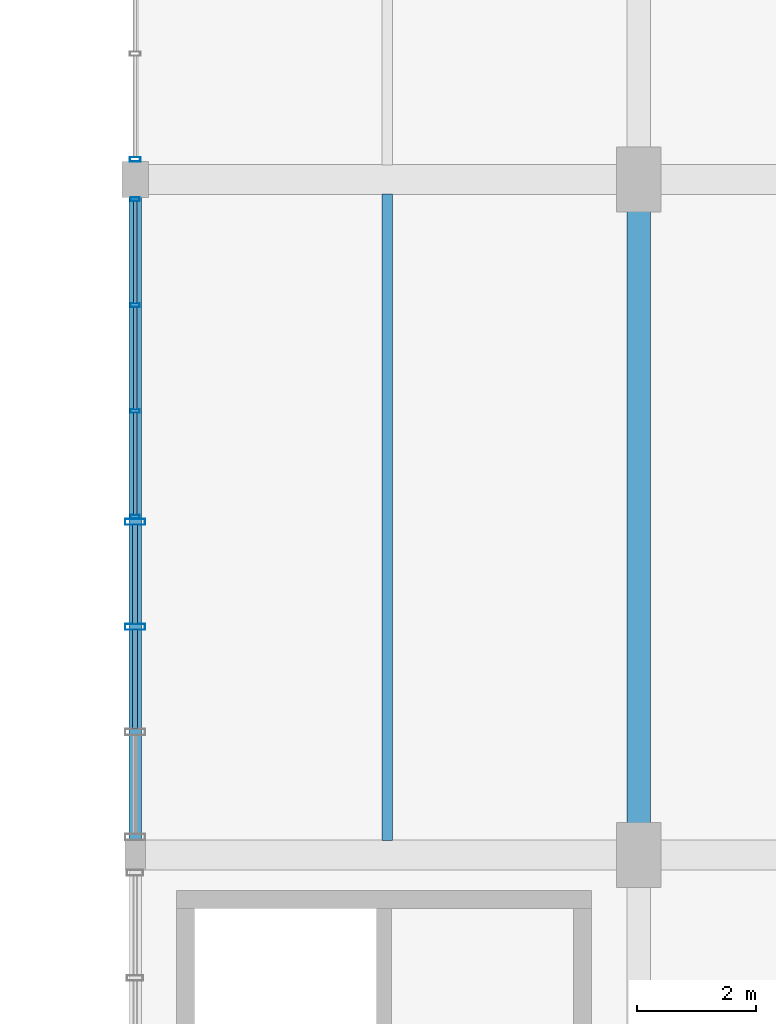
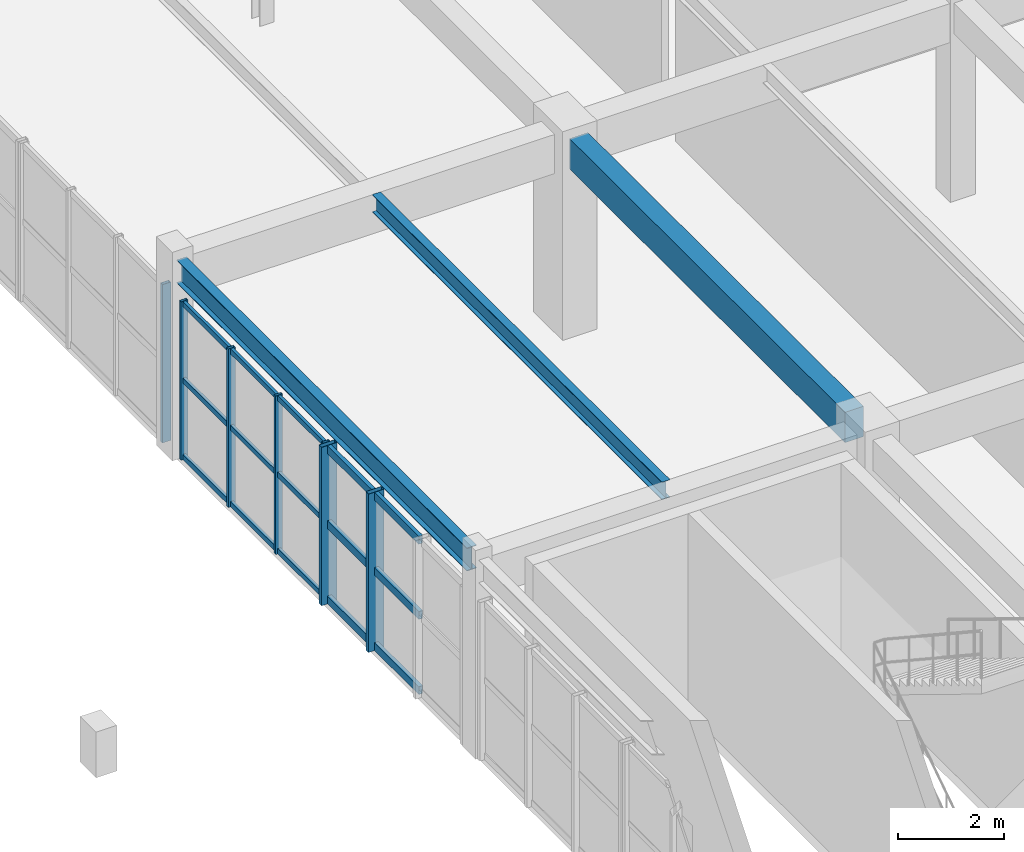
# One storey, part 42 of 106: 22 members, 3 beams, 3 elements without a shape of their own.
"""IFC4 building model written with IfcOpenShell, lengths in metres."""

from ifc_helpers import new_model, si_unit, direction, frame, origin, origin_2d, place, context, subcontext, project, spatial, rectangle, hollow_rectangle, i_section, extrude, material, layer, layer_set, material_profile, profile_set, type_object, element, aggregate, save


model = new_model("IFC4")

# Units and contexts
model_context = context("Model", 3, precision=1e-05, world=origin(), true_north=direction((0.0, 1.0)))
body_context = subcontext(model_context, "Body", "Model", "MODEL_VIEW")
ifc_project = project(units=[si_unit("LENGTHUNIT", "METRE"), si_unit("AREAUNIT", "SQUARE_METRE"), si_unit("VOLUMEUNIT", "CUBIC_METRE"), si_unit("PLANEANGLEUNIT", "RADIAN"), si_unit("MASSUNIT", "GRAM", prefix="KILO"), si_unit("POWERUNIT", "WATT"), si_unit("THERMODYNAMICTEMPERATUREUNIT", "KELVIN")], contexts=[model_context])

# Site, building, storey
site_placement = place(None, origin())
site = spatial("IfcSite", under=ifc_project, at=site_placement, CompositionType="ELEMENT")
building_placement = place(site_placement, origin())
building = spatial("IfcBuilding", under=site, at=building_placement, Name="Kelmbourne Parkland Aquatics Centre", CompositionType="ELEMENT")
storey_placement = place(building_placement, frame((0.0, 0.0, 5.39990234375)))
storey = spatial("IfcBuildingStorey", under=building, at=storey_placement, Name="L01", CompositionType="ELEMENT", Elevation=5.39990234375)

# Beams
ifc_material_1 = material(Name="Concrete C40/50", Category="concrete")
ifc_material_profile_1 = material_profile(ifc_material_1, rectangle(XDim=0.39990234375, YDim=0.699951171875, at=origin_2d()), Name="RC 400x700")
ifc_profile_set_1 = profile_set([ifc_material_profile_1], Name="Concrete C40/50")
beam_type_1 = type_object("IfcBeamType", Name="BM-G05", PredefinedType="BEAM", material=ifc_profile_set_1)
beam_1_placement = place(storey_placement, frame((110.5, 46.905029296875, 4.210205078125), z_axis=(0.0, 1.0, 0.0), x_axis=(-1.0, 0.0, 0.0)))
element("IfcBeam", 1, at=beam_1_placement, inside=storey, type_object=beam_type_1, Name="Primary girder 06-08 Grid N (L02)", PredefinedType="BEAM", context=body_context, shape_type="SweptSolid", body=[
    extrude(rectangle(XDim=0.39990234375, YDim=0.699951171875, at=origin_2d()), origin(), (0.0, 0.0, 1.0), 10.389892578125),
])
ifc_material_2 = material(Name="Structural steel AS/NZS 3679.1 Grade 300", Category="steel")
ifc_material_profile_2 = material_profile(ifc_material_2, i_section(OverallWidth=0.177978515625, OverallDepth=0.406005859375, WebThickness=0.0078125, FlangeThickness=0.0126953125, at=origin_2d()), Name="410UB59.7")
ifc_profile_set_2 = profile_set([ifc_material_profile_2], Name="Structural steel AS/NZS 3679.1 Grade 300")
beam_type_2 = type_object("IfcBeamType", Name="BM-J01", PredefinedType="JOIST", material=ifc_profile_set_2)
beam_2_placement = place(storey_placement, frame((106.25, 46.64208984375, 4.357177734375), z_axis=(0.0, 1.0, 0.0), x_axis=(-1.0, 0.0, 0.0)))
element("IfcBeam", 2, at=beam_2_placement, inside=storey, type_object=beam_type_2, Name="Secondary floor joist M-N/06-08 #1 (L02)", PredefinedType="JOIST", context=body_context, shape_type="SweptSolid", body=[
    extrude(i_section(OverallWidth=0.177978515625, OverallDepth=0.406005859375, WebThickness=0.0078125, FlangeThickness=0.0126953125, at=origin_2d()), origin(), (0.0, 0.0, 1.0), 10.916015625),
])
ifc_material_profile_3 = material_profile(ifc_material_2, i_section(OverallWidth=0.208984375, OverallDepth=0.532958984375, WebThickness=0.01025390625, FlangeThickness=0.015625, at=origin_2d()), Name="530UB92.4")
ifc_profile_set_3 = profile_set([ifc_material_profile_3], Name="Structural steel AS/NZS 3679.1 Grade 300")
beam_type_3 = type_object("IfcBeamType", Name="BM-SP02", PredefinedType="SPANDREL", material=ifc_profile_set_3)
beam_3_placement = place(storey_placement, frame((102.0, 46.60498046875, 4.293701171875), z_axis=(0.0, 1.0, 0.0), x_axis=(-1.0, 0.0, 0.0)))
element("IfcBeam", 3, at=beam_3_placement, inside=storey, type_object=beam_type_3, Name="Perimeter spandrel 06-08 Grid M (L02)", PredefinedType="SPANDREL", context=body_context, shape_type="SweptSolid", body=[
    extrude(i_section(OverallWidth=0.208984375, OverallDepth=0.532958984375, WebThickness=0.01025390625, FlangeThickness=0.015625, at=origin_2d()), origin(), (0.0, 0.0, 1.0), 10.93994140625),
])

# Curtain wall, members
ifc_material_3 = material(Name="Thermally broken anodised aluminium framing", Category="aluminium")
ifc_layer_1 = layer(ifc_material_3, 0.179931640625)
ifc_layer_set_1 = layer_set([ifc_layer_1], Name="Thermally broken anodised aluminium framing")
curtain_wall_type_1 = type_object("IfcCurtainWallType", Name="CW-03", PredefinedType="NOTDEFINED", material=ifc_layer_set_1)
curtain_wall_1_placement = place(storey_placement, origin())
curtain_wall_1 = element("IfcCurtainWall", 4, at=curtain_wall_1_placement, inside=storey, type_object=curtain_wall_type_1, Name="Facade curtain wall CW-L01-195", PredefinedType="NOTDEFINED")
ifc_material_profile_4 = material_profile(ifc_material_3, hollow_rectangle(XDim=0.06494140625, YDim=0.14990234375, WallThickness=0.00390625, at=origin_2d()), Name="CW-M 65x150")
ifc_profile_set_4 = profile_set([ifc_material_profile_4], Name="Thermally broken anodised aluminium framing")
member_type_1 = type_object("IfcMemberType", Name="MB-MUL-1", PredefinedType="MULLION", material=ifc_profile_set_4)
member_1_placement = place(storey_placement, frame((102.0, 52.107421875, 0.0), z_axis=(0.0, 0.0, 1.0), x_axis=(0.0, 1.0, 0.0)))
member_1 = element("IfcMember", 5, at=member_1_placement, type_object=member_type_1, Name="CW-L01-195 mullion 0", PredefinedType="MULLION", context=body_context, shape_type="SweptSolid", body=[
    extrude(hollow_rectangle(XDim=0.06494140625, YDim=0.14990234375, WallThickness=0.00390625, at=origin_2d()), origin(), (0.0, 0.0, 1.0), 3.64501953125),
])
member_2_placement = place(storey_placement, frame((102.0, 53.8935546875, 0.0), z_axis=(0.0, 0.0, 1.0), x_axis=(0.0, 1.0, 0.0)))
member_2 = element("IfcMember", 6, at=member_2_placement, type_object=member_type_1, Name="CW-L01-195 mullion 1", PredefinedType="MULLION", context=body_context, shape_type="SweptSolid", body=[
    extrude(hollow_rectangle(XDim=0.06494140625, YDim=0.14990234375, WallThickness=0.00390625, at=origin_2d()), origin(), (0.0, 0.0, 1.0), 3.64501953125),
])
member_3_placement = place(storey_placement, frame((102.0, 55.679443359375, 0.0), z_axis=(0.0, 0.0, 1.0), x_axis=(0.0, 1.0, 0.0)))
member_3 = element("IfcMember", 7, at=member_3_placement, type_object=member_type_1, Name="CW-L01-195 mullion 2", PredefinedType="MULLION", context=body_context, shape_type="SweptSolid", body=[
    extrude(hollow_rectangle(XDim=0.06494140625, YDim=0.14990234375, WallThickness=0.00390625, at=origin_2d()), origin(), (0.0, 0.0, 1.0), 3.64501953125),
])
member_4_placement = place(storey_placement, frame((102.0, 57.465576171875, 0.0), z_axis=(0.0, 0.0, 1.0), x_axis=(0.0, 1.0, 0.0)))
member_4 = element("IfcMember", 8, at=member_4_placement, type_object=member_type_1, Name="CW-L01-195 mullion 3", PredefinedType="MULLION", context=body_context, shape_type="SweptSolid", body=[
    extrude(hollow_rectangle(XDim=0.06494140625, YDim=0.14990234375, WallThickness=0.00390625, at=origin_2d()), origin(), (0.0, 0.0, 1.0), 3.64501953125),
])

# Curtain wall, member
ifc_layer_2 = layer(ifc_material_3, 0.179931640625)
ifc_layer_set_2 = layer_set([ifc_layer_2], Name="Thermally broken anodised aluminium framing")
curtain_wall_type_2 = type_object("IfcCurtainWallType", Name="CW-04", PredefinedType="NOTDEFINED", material=ifc_layer_set_2)
curtain_wall_2_placement = place(storey_placement, origin())
curtain_wall_2 = element("IfcCurtainWall", 9, at=curtain_wall_2_placement, inside=storey, type_object=curtain_wall_type_2, Name="Facade curtain wall CW-L01-196", PredefinedType="NOTDEFINED")
ifc_material_profile_5 = material_profile(ifc_material_3, hollow_rectangle(XDim=0.074951171875, YDim=0.179931640625, WallThickness=0.00439453125, at=origin_2d()), Name="CW-M 75x180")
ifc_profile_set_5 = profile_set([ifc_material_profile_5], Name="Thermally broken anodised aluminium framing")
member_type_2 = type_object("IfcMemberType", Name="MB-MUL-2", PredefinedType="MULLION", material=ifc_profile_set_5)
member_5_placement = place(storey_placement, frame((102.0, 58.139404296875, 0.0), z_axis=(0.0, 0.0, 1.0), x_axis=(0.0, 1.0, 0.0)))
member_5 = element("IfcMember", 10, at=member_5_placement, type_object=member_type_2, Name="CW-L01-196 mullion 0", PredefinedType="MULLION", context=body_context, shape_type="SweptSolid", body=[
    extrude(hollow_rectangle(XDim=0.074951171875, YDim=0.179931640625, WallThickness=0.00439453125, at=origin_2d()), origin(), (0.0, 0.0, 1.0), 3.64501953125),
])
aggregate(curtain_wall_2, [member_5])

# Curtain wall, members
ifc_layer_3 = layer(ifc_material_3, 0.179931640625)
ifc_layer_set_3 = layer_set([ifc_layer_3], Name="Thermally broken anodised aluminium framing")
curtain_wall_type_3 = type_object("IfcCurtainWallType", Name="CW-02", PredefinedType="NOTDEFINED", material=ifc_layer_set_3)
curtain_wall_3_placement = place(storey_placement, origin())
curtain_wall_3 = element("IfcCurtainWall", 11, at=curtain_wall_3_placement, inside=storey, type_object=curtain_wall_type_3, Name="Facade curtain wall CW-L01-194", PredefinedType="NOTDEFINED")
ifc_material_profile_6 = material_profile(ifc_material_3, hollow_rectangle(XDim=0.10498046875, YDim=0.340087890625, WallThickness=0.006103515625, at=origin_2d()), Name="CW-M 105x340")
ifc_profile_set_6 = profile_set([ifc_material_profile_6], Name="Thermally broken anodised aluminium framing")
member_type_3 = type_object("IfcMemberType", Name="MB-MUL-5", PredefinedType="MULLION", material=ifc_profile_set_6)
member_6_placement = place(storey_placement, frame((102.0, 50.249755859375, 0.0), z_axis=(0.0, 0.0, 1.0), x_axis=(0.0, 1.0, 0.0)))
member_6 = element("IfcMember", 12, at=member_6_placement, type_object=member_type_3, Name="CW-L01-194 mullion 2", PredefinedType="MULLION", context=body_context, shape_type="SweptSolid", body=[
    extrude(hollow_rectangle(XDim=0.10498046875, YDim=0.340087890625, WallThickness=0.006103515625, at=origin_2d()), origin(), (0.0, 0.0, 1.0), 3.64501953125),
])
member_7_placement = place(storey_placement, frame((102.0, 52.0224609375, 0.0), z_axis=(0.0, 0.0, 1.0), x_axis=(0.0, 1.0, 0.0)))
member_7 = element("IfcMember", 13, at=member_7_placement, type_object=member_type_3, Name="CW-L01-194 mullion 3", PredefinedType="MULLION", context=body_context, shape_type="SweptSolid", body=[
    extrude(hollow_rectangle(XDim=0.10498046875, YDim=0.340087890625, WallThickness=0.006103515625, at=origin_2d()), origin(), (0.0, 0.0, 1.0), 3.64501953125),
])

# Member
ifc_material_profile_7 = material_profile(ifc_material_3, hollow_rectangle(XDim=0.06494140625, YDim=0.1201171875, WallThickness=0.00341796875, at=origin_2d()), Name="CW-T 65x120")
ifc_profile_set_7 = profile_set([ifc_material_profile_7], Name="Thermally broken anodised aluminium framing")
member_type_4 = type_object("IfcMemberType", Name="MB-TRN-1", PredefinedType="USERDEFINED", material=ifc_profile_set_7)
member_8_placement = place(storey_placement, frame((102.0, 52.135986328125, 0.06298828125), z_axis=(0.0, 1.0, 0.0), x_axis=(-1.0, 0.0, 0.0)))
member_8 = element("IfcMember", 14, at=member_8_placement, type_object=member_type_4, Name="CW-L01-195 transom 0-0", ObjectType="TRANSOM", PredefinedType="USERDEFINED", context=body_context, shape_type="SweptSolid", body=[
    extrude(hollow_rectangle(XDim=0.06494140625, YDim=0.1201171875, WallThickness=0.00341796875, at=origin_2d()), origin(), (0.0, 0.0, 1.0), 1.72900390625),
])

member_9_placement = place(storey_placement, frame((102.0, 53.922119140625, 0.06298828125), z_axis=(0.0, 1.0, 0.0), x_axis=(-1.0, 0.0, 0.0)))
member_9 = element("IfcMember", 15, at=member_9_placement, type_object=member_type_4, Name="CW-L01-195 transom 0-1", ObjectType="TRANSOM", PredefinedType="USERDEFINED", context=body_context, shape_type="SweptSolid", body=[
    extrude(hollow_rectangle(XDim=0.06494140625, YDim=0.1201171875, WallThickness=0.00341796875, at=origin_2d()), origin(), (0.0, 0.0, 1.0), 1.728759765625),
])

member_10_placement = place(storey_placement, frame((102.0, 55.7080078125, 0.06298828125), z_axis=(0.0, 1.0, 0.0), x_axis=(-1.0, 0.0, 0.0)))
member_10 = element("IfcMember", 16, at=member_10_placement, type_object=member_type_4, Name="CW-L01-195 transom 0-2", ObjectType="TRANSOM", PredefinedType="USERDEFINED", context=body_context, shape_type="SweptSolid", body=[
    extrude(hollow_rectangle(XDim=0.06494140625, YDim=0.1201171875, WallThickness=0.00341796875, at=origin_2d()), origin(), (0.0, 0.0, 1.0), 1.72900390625),
])

member_11_placement = place(storey_placement, frame((102.0, 52.135986328125, 1.822509765625), z_axis=(0.0, 1.0, 0.0), x_axis=(-1.0, 0.0, 0.0)))
member_11 = element("IfcMember", 17, at=member_11_placement, type_object=member_type_4, Name="CW-L01-195 transom 1-0", ObjectType="TRANSOM", PredefinedType="USERDEFINED", context=body_context, shape_type="SweptSolid", body=[
    extrude(hollow_rectangle(XDim=0.06494140625, YDim=0.1201171875, WallThickness=0.00341796875, at=origin_2d()), origin(), (0.0, 0.0, 1.0), 1.72900390625),
])

member_12_placement = place(storey_placement, frame((102.0, 53.922119140625, 1.822509765625), z_axis=(0.0, 1.0, 0.0), x_axis=(-1.0, 0.0, 0.0)))
member_12 = element("IfcMember", 18, at=member_12_placement, type_object=member_type_4, Name="CW-L01-195 transom 1-1", ObjectType="TRANSOM", PredefinedType="USERDEFINED", context=body_context, shape_type="SweptSolid", body=[
    extrude(hollow_rectangle(XDim=0.06494140625, YDim=0.1201171875, WallThickness=0.00341796875, at=origin_2d()), origin(), (0.0, 0.0, 1.0), 1.728759765625),
])

member_13_placement = place(storey_placement, frame((102.0, 55.7080078125, 1.822509765625), z_axis=(0.0, 1.0, 0.0), x_axis=(-1.0, 0.0, 0.0)))
member_13 = element("IfcMember", 19, at=member_13_placement, type_object=member_type_4, Name="CW-L01-195 transom 1-2", ObjectType="TRANSOM", PredefinedType="USERDEFINED", context=body_context, shape_type="SweptSolid", body=[
    extrude(hollow_rectangle(XDim=0.06494140625, YDim=0.1201171875, WallThickness=0.00341796875, at=origin_2d()), origin(), (0.0, 0.0, 1.0), 1.72900390625),
])

member_14_placement = place(storey_placement, frame((102.0, 52.135986328125, 3.58203125), z_axis=(0.0, 1.0, 0.0), x_axis=(-1.0, 0.0, 0.0)))
member_14 = element("IfcMember", 20, at=member_14_placement, type_object=member_type_4, Name="CW-L01-195 transom 2-0", ObjectType="TRANSOM", PredefinedType="USERDEFINED", context=body_context, shape_type="SweptSolid", body=[
    extrude(hollow_rectangle(XDim=0.06494140625, YDim=0.1201171875, WallThickness=0.00341796875, at=origin_2d()), origin(), (0.0, 0.0, 1.0), 1.72900390625),
])

member_15_placement = place(storey_placement, frame((102.0, 53.922119140625, 3.58203125), z_axis=(0.0, 1.0, 0.0), x_axis=(-1.0, 0.0, 0.0)))
member_15 = element("IfcMember", 21, at=member_15_placement, type_object=member_type_4, Name="CW-L01-195 transom 2-1", ObjectType="TRANSOM", PredefinedType="USERDEFINED", context=body_context, shape_type="SweptSolid", body=[
    extrude(hollow_rectangle(XDim=0.06494140625, YDim=0.1201171875, WallThickness=0.00341796875, at=origin_2d()), origin(), (0.0, 0.0, 1.0), 1.728759765625),
])

member_16_placement = place(storey_placement, frame((102.0, 55.7080078125, 3.58203125), z_axis=(0.0, 1.0, 0.0), x_axis=(-1.0, 0.0, 0.0)))
member_16 = element("IfcMember", 22, at=member_16_placement, type_object=member_type_4, Name="CW-L01-195 transom 2-2", ObjectType="TRANSOM", PredefinedType="USERDEFINED", context=body_context, shape_type="SweptSolid", body=[
    extrude(hollow_rectangle(XDim=0.06494140625, YDim=0.1201171875, WallThickness=0.00341796875, at=origin_2d()), origin(), (0.0, 0.0, 1.0), 1.72900390625),
])

aggregate(curtain_wall_1, [member_1, member_2, member_3, member_4, member_8, member_9, member_10, member_11, member_12, member_13, member_14, member_15, member_16])

ifc_material_profile_8 = material_profile(ifc_material_3, hollow_rectangle(XDim=0.0849609375, YDim=0.179931640625, WallThickness=0.00439453125, at=origin_2d()), Name="CW-T 85x180")
ifc_profile_set_8 = profile_set([ifc_material_profile_8], Name="Thermally broken anodised aluminium framing")
member_type_5 = type_object("IfcMemberType", Name="MB-TRN-3", PredefinedType="USERDEFINED", material=ifc_profile_set_8)
member_17_placement = place(storey_placement, frame((102.0, 48.525634765625, 0.093017578125), z_axis=(0.0, 1.0, 0.0), x_axis=(-1.0, 0.0, 0.0)))
member_17 = element("IfcMember", 23, at=member_17_placement, type_object=member_type_5, Name="CW-L01-194 transom 0-1", ObjectType="TRANSOM", PredefinedType="USERDEFINED", context=body_context, shape_type="SweptSolid", body=[
    extrude(hollow_rectangle(XDim=0.0849609375, YDim=0.179931640625, WallThickness=0.00439453125, at=origin_2d()), origin(), (0.0, 0.0, 1.0), 1.67578125),
])

member_18_placement = place(storey_placement, frame((102.0, 50.29833984375, 0.093017578125), z_axis=(0.0, 1.0, 0.0), x_axis=(-1.0, 0.0, 0.0)))
member_18 = element("IfcMember", 24, at=member_18_placement, type_object=member_type_5, Name="CW-L01-194 transom 0-2", ObjectType="TRANSOM", PredefinedType="USERDEFINED", context=body_context, shape_type="SweptSolid", body=[
    extrude(hollow_rectangle(XDim=0.0849609375, YDim=0.179931640625, WallThickness=0.00439453125, at=origin_2d()), origin(), (0.0, 0.0, 1.0), 1.67578125),
])

member_19_placement = place(storey_placement, frame((102.0, 48.525634765625, 1.822509765625), z_axis=(0.0, 1.0, 0.0), x_axis=(-1.0, 0.0, 0.0)))
member_19 = element("IfcMember", 25, at=member_19_placement, type_object=member_type_5, Name="CW-L01-194 transom 1-1", ObjectType="TRANSOM", PredefinedType="USERDEFINED", context=body_context, shape_type="SweptSolid", body=[
    extrude(hollow_rectangle(XDim=0.0849609375, YDim=0.179931640625, WallThickness=0.00439453125, at=origin_2d()), origin(), (0.0, 0.0, 1.0), 1.67578125),
])

member_20_placement = place(storey_placement, frame((102.0, 50.29833984375, 1.822509765625), z_axis=(0.0, 1.0, 0.0), x_axis=(-1.0, 0.0, 0.0)))
member_20 = element("IfcMember", 26, at=member_20_placement, type_object=member_type_5, Name="CW-L01-194 transom 1-2", ObjectType="TRANSOM", PredefinedType="USERDEFINED", context=body_context, shape_type="SweptSolid", body=[
    extrude(hollow_rectangle(XDim=0.0849609375, YDim=0.179931640625, WallThickness=0.00439453125, at=origin_2d()), origin(), (0.0, 0.0, 1.0), 1.67578125),
])

member_21_placement = place(storey_placement, frame((102.0, 48.525634765625, 3.552001953125), z_axis=(0.0, 1.0, 0.0), x_axis=(-1.0, 0.0, 0.0)))
member_21 = element("IfcMember", 27, at=member_21_placement, type_object=member_type_5, Name="CW-L01-194 transom 2-1", ObjectType="TRANSOM", PredefinedType="USERDEFINED", context=body_context, shape_type="SweptSolid", body=[
    extrude(hollow_rectangle(XDim=0.0849609375, YDim=0.179931640625, WallThickness=0.00439453125, at=origin_2d()), origin(), (0.0, 0.0, 1.0), 1.67578125),
])

member_22_placement = place(storey_placement, frame((102.0, 50.29833984375, 3.552001953125), z_axis=(0.0, 1.0, 0.0), x_axis=(-1.0, 0.0, 0.0)))
member_22 = element("IfcMember", 28, at=member_22_placement, type_object=member_type_5, Name="CW-L01-194 transom 2-2", ObjectType="TRANSOM", PredefinedType="USERDEFINED", context=body_context, shape_type="SweptSolid", body=[
    extrude(hollow_rectangle(XDim=0.0849609375, YDim=0.179931640625, WallThickness=0.00439453125, at=origin_2d()), origin(), (0.0, 0.0, 1.0), 1.67578125),
])

aggregate(curtain_wall_3, [member_6, member_7, member_17, member_18, member_19, member_20, member_21, member_22])

save(model, "model.ifc")
